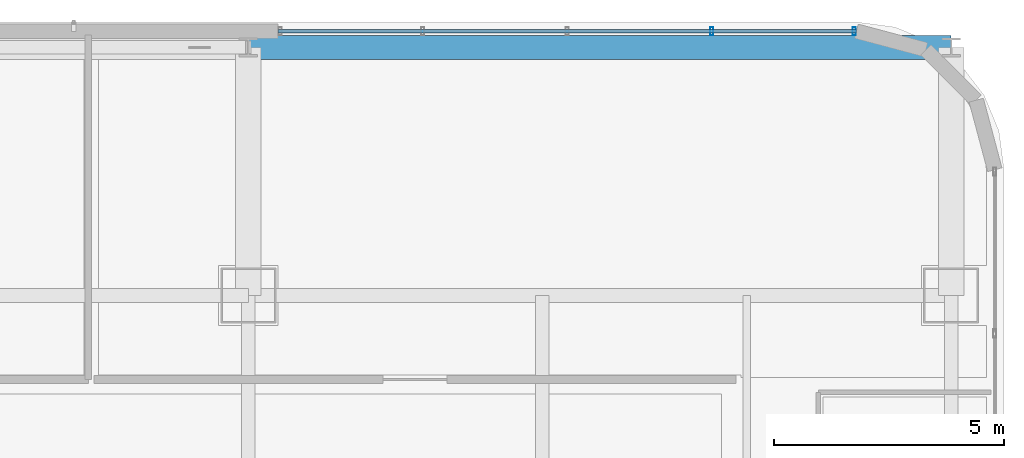
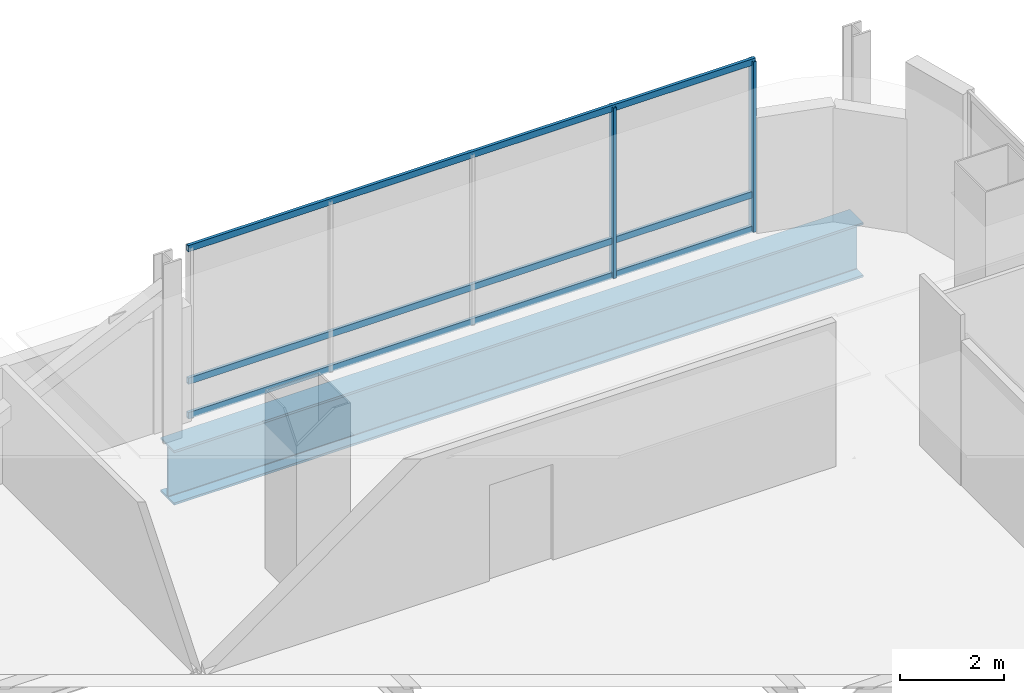
# One storey, part 28 of 43: 5 members, 1 beam, 1 element without a shape of its own.
"""IFC4 building model written with IfcOpenShell, lengths in metres."""

from ifc_helpers import new_model, si_unit, direction, frame, origin, origin_2d, place, context, subcontext, project, spatial, hollow_rectangle, i_section, extrude, material, material_profile, profile_set, type_object, element, aggregate, save


model = new_model("IFC4")

# Units and contexts
model_context = context("Model", 3, precision=1e-05, world=origin(), true_north=direction((0.0, 1.0)))
body_context = subcontext(model_context, "Body", "Model", "MODEL_VIEW")
ifc_project = project(units=[si_unit("LENGTHUNIT", "METRE"), si_unit("AREAUNIT", "SQUARE_METRE"), si_unit("VOLUMEUNIT", "CUBIC_METRE"), si_unit("PLANEANGLEUNIT", "RADIAN"), si_unit("MASSUNIT", "GRAM", prefix="KILO")], contexts=[model_context])

# Site, building, storey
site_placement = place(None, origin())
site = spatial("IfcSite", under=ifc_project, at=site_placement, CompositionType="ELEMENT")
building_placement = place(site_placement, origin())
building = spatial("IfcBuilding", under=site, at=building_placement, Name="Punatoya Terracotta Tower", CompositionType="ELEMENT")
storey_placement = place(building_placement, frame((0.0, 0.0, 300.60009765625)))
storey = spatial("IfcBuildingStorey", under=building, at=storey_placement, Name="L71", CompositionType="ELEMENT", Elevation=300.60009765625)

# Beam
ifc_material_1 = material(Name="Steel S460", Category="steel")
ifc_material_profile_1 = material_profile(ifc_material_1, i_section(OverallWidth=0.52001953125, OverallDepth=1.280029296875, WebThickness=0.031982421875, FlangeThickness=0.050048828125, FilletRadius=0.01806640625, at=origin_2d()))
ifc_profile_set_1 = profile_set([ifc_material_profile_1], Name="Steel S460")
beam_type = type_object("IfcBeamType", Name="BM-TG-NCK", PredefinedType="BEAM", material=ifc_profile_set_1)
beam_placement = place(storey_placement, frame((3.800048828125, 22.89990234375, -0.840087890625), z_axis=(1.0, 0.0, 0.0), x_axis=(0.0, 1.0, 0.0)))
element("IfcBeam", 1, at=beam_placement, inside=storey, type_object=beam_type, Name="BM-L71-PER-N3", PredefinedType="BEAM", context=body_context, shape_type="SweptSolid", body=[
    extrude(i_section(OverallWidth=0.52001953125, OverallDepth=1.280029296875, WebThickness=0.031982421875, FlangeThickness=0.050048828125, FilletRadius=0.01806640625, at=origin_2d()), origin(), (0.0, 0.0, 1.0), 15.300048828125),
])

# Curtain wall, members
ifc_material_2 = material(Name="Aluminium 6063-T6 + Double Low-E Glass", Category="aluminium")
curtain_wall_type = type_object("IfcCurtainWallType", Name="CW-M3", PredefinedType="NOTDEFINED", material=ifc_material_2)
curtain_wall_placement = place(storey_placement, origin())
curtain_wall = element("IfcCurtainWall", 2, at=curtain_wall_placement, inside=storey, type_object=curtain_wall_type, Name="L71 Curtain Wall CW-L71-N09-1", PredefinedType="NOTDEFINED")
ifc_material_3 = material(Name="Aluminium 6063-T6", Category="aluminium")
ifc_material_profile_2 = material_profile(ifc_material_3, hollow_rectangle(XDim=0.070068359375, YDim=0.179931640625, WallThickness=0.00390625, at=origin_2d()))
ifc_profile_set_2 = profile_set([ifc_material_profile_2], Name="Aluminium 6063-T6")
member_type_1 = type_object("IfcMemberType", Name="CW-MUL-M3", PredefinedType="MULLION", material=ifc_profile_set_2)
member_1_placement = place(storey_placement, frame((16.991943359375, 23.25, 0.0), z_axis=(0.0, 0.0, 1.0), x_axis=(1.0, 0.0, 0.0)))
member_1 = element("IfcMember", 3, at=member_1_placement, type_object=member_type_1, Name="CW-L71-N09-1 Mullion 00", PredefinedType="MULLION", context=body_context, shape_type="SweptSolid", body=[
    extrude(hollow_rectangle(XDim=0.070068359375, YDim=0.179931640625, WallThickness=0.00390625, at=origin_2d()), origin(), (0.0, 0.0, 1.0), 4.0),
])
member_2_placement = place(storey_placement, frame((13.89013671875, 23.25, 0.0), z_axis=(0.0, 0.0, 1.0), x_axis=(1.0, 0.0, 0.0)))
member_2 = element("IfcMember", 4, at=member_2_placement, type_object=member_type_1, Name="CW-L71-N09-1 Mullion 01", PredefinedType="MULLION", context=body_context, shape_type="SweptSolid", body=[
    extrude(hollow_rectangle(XDim=0.070068359375, YDim=0.179931640625, WallThickness=0.00390625, at=origin_2d()), origin(), (0.0, 0.0, 1.0), 4.0),
])
ifc_material_profile_3 = material_profile(ifc_material_3, hollow_rectangle(XDim=0.068115234375, YDim=0.14990234375, WallThickness=0.00390625, at=origin_2d()))
ifc_profile_set_3 = profile_set([ifc_material_profile_3], Name="Aluminium 6063-T6")
member_type_2 = type_object("IfcMemberType", Name="CW-TRN-TYP", PredefinedType="USERDEFINED", material=ifc_profile_set_3)
member_3_placement = place(storey_placement, frame((17.036865234375, 23.25, 0.039794921875), z_axis=(-1.0, 0.0, 0.0), x_axis=(0.0, -1.0, 0.0)))
member_3 = element("IfcMember", 5, at=member_3_placement, type_object=member_type_2, Name="CW-L71-N09-1 Transom 1", ObjectType="TRANSOM", PredefinedType="USERDEFINED", context=body_context, shape_type="SweptSolid", body=[
    extrude(hollow_rectangle(XDim=0.068115234375, YDim=0.14990234375, WallThickness=0.00390625, at=origin_2d()), origin(), (0.0, 0.0, 1.0), 12.5869140625),
])
member_4_placement = place(storey_placement, frame((17.036865234375, 23.25, 0.849853515625), z_axis=(-1.0, 0.0, 0.0), x_axis=(0.0, -1.0, 0.0)))
member_4 = element("IfcMember", 6, at=member_4_placement, type_object=member_type_2, Name="CW-L71-N09-1 Transom 2", ObjectType="TRANSOM", PredefinedType="USERDEFINED", context=body_context, shape_type="SweptSolid", body=[
    extrude(hollow_rectangle(XDim=0.068115234375, YDim=0.14990234375, WallThickness=0.00390625, at=origin_2d()), origin(), (0.0, 0.0, 1.0), 12.5869140625),
])
member_5_placement = place(storey_placement, frame((17.036865234375, 23.25, 3.9599609375), z_axis=(-1.0, 0.0, 0.0), x_axis=(0.0, -1.0, 0.0)))
member_5 = element("IfcMember", 7, at=member_5_placement, type_object=member_type_2, Name="CW-L71-N09-1 Transom 3", ObjectType="TRANSOM", PredefinedType="USERDEFINED", context=body_context, shape_type="SweptSolid", body=[
    extrude(hollow_rectangle(XDim=0.068115234375, YDim=0.14990234375, WallThickness=0.00390625, at=origin_2d()), origin(), (0.0, 0.0, 1.0), 12.5869140625),
])
aggregate(curtain_wall, [member_1, member_2, member_3, member_4, member_5])

save(model, "model.ifc")
